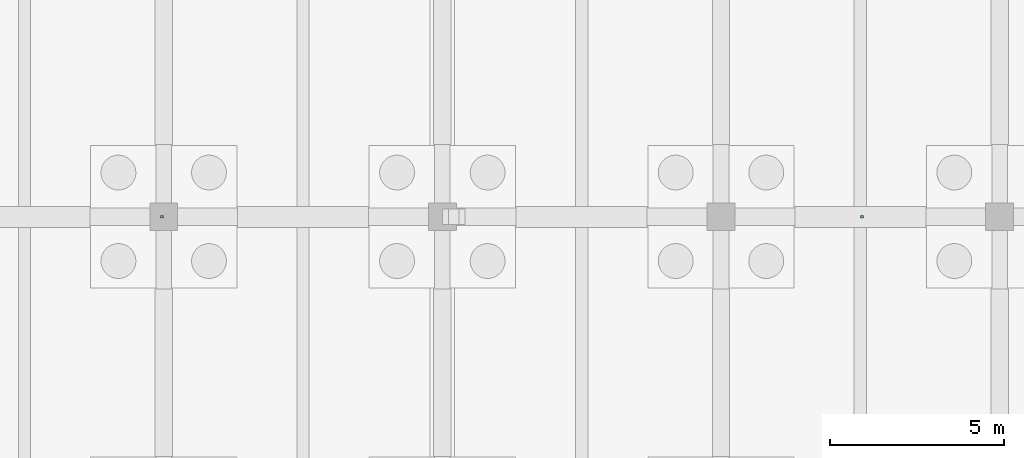
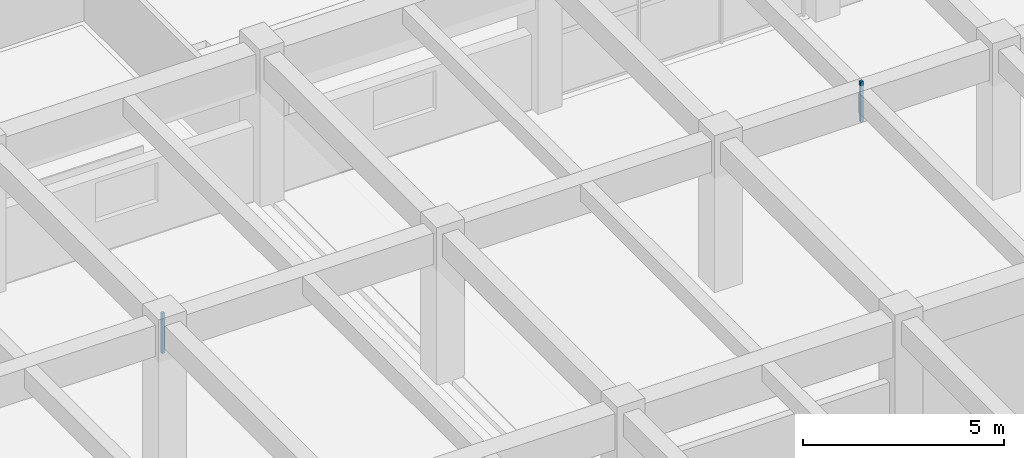
# One storey, part 117 of 147: 2 discrete accessories.
"""IFC4 building model written with IfcOpenShell, lengths in metres."""

from ifc_helpers import new_model, si_unit, direction, frame, origin, origin_2d, place, context, subcontext, project, spatial, rectangle, extrude, material, layer, layer_set, type_object, element, save


model = new_model("IFC4")

# Units and contexts
model_context = context("Model", 3, precision=1e-05, world=origin(), true_north=direction((0.0, 1.0)))
body_context = subcontext(model_context, "Body", "Model", "MODEL_VIEW")
ifc_project = project(units=[si_unit("LENGTHUNIT", "METRE"), si_unit("AREAUNIT", "SQUARE_METRE"), si_unit("VOLUMEUNIT", "CUBIC_METRE"), si_unit("PLANEANGLEUNIT", "RADIAN"), si_unit("MASSUNIT", "GRAM", prefix="KILO")], contexts=[model_context])

# Site, building, storey
site_placement = place(None, origin())
site = spatial("IfcSite", under=ifc_project, at=site_placement, CompositionType="ELEMENT")
building_placement = place(site_placement, origin())
building = spatial("IfcBuilding", under=site, at=building_placement, Name="Varnabhumi Central Station", CompositionType="ELEMENT")
storey_placement = place(building_placement, origin())
storey = spatial("IfcBuildingStorey", under=building, at=storey_placement, Name="L00", CompositionType="ELEMENT", Elevation=0.0)

# Discrete accessories
ifc_material = material(Name="Structural steel E350", Category="steel")
ifc_layer = layer(ifc_material, 0.159912109375, Name="Structural steel E350", Category="steel")
ifc_layer_set = layer_set([ifc_layer], Name="Structural steel E350")
discrete_accessory_type = type_object("IfcDiscreteAccessoryType", Name="ACC-SHADE-BRKT", PredefinedType="BRACKET", material=ifc_layer_set)
for number, where, z_axis, x_axis, name in (
    (1, (55.949951171875, 27.0, 3.43994140625), (0.0, 0.0, 1.0), (1.0, 0.0, 0.0), "Inbound and Outbound Parcel Store Ceiling Hanger"),
    (2, (76.050048828125, 27.0, 3.43994140625), (0.0, 0.0, 1.0), (1.0, 0.0, 0.0), "Inbound and Outbound Parcel Store Ceiling Hanger"),
):
    element("IfcDiscreteAccessory", number, at=place(storey_placement, frame(where, z_axis=z_axis, x_axis=x_axis)), inside=storey, type_object=discrete_accessory_type, Name=name, PredefinedType="BRACKET", context=body_context, shape_type="SweptSolid", body=[
        extrude(rectangle(XDim=0.080078125, YDim=0.080078125, at=origin_2d()), origin(), (0.0, 0.0, 1.0), 1.22998046875),
    ])

save(model, "model.ifc")
